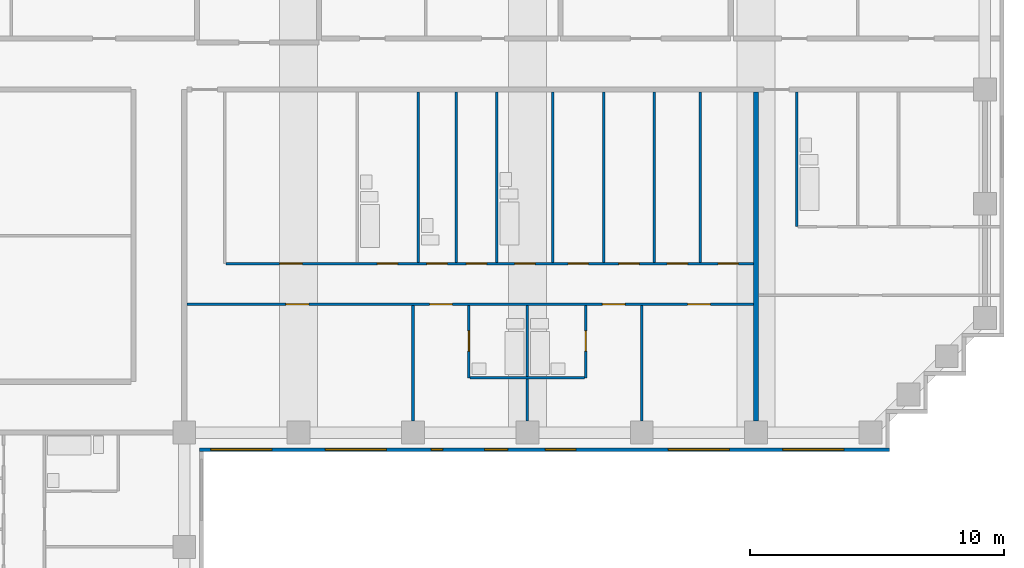
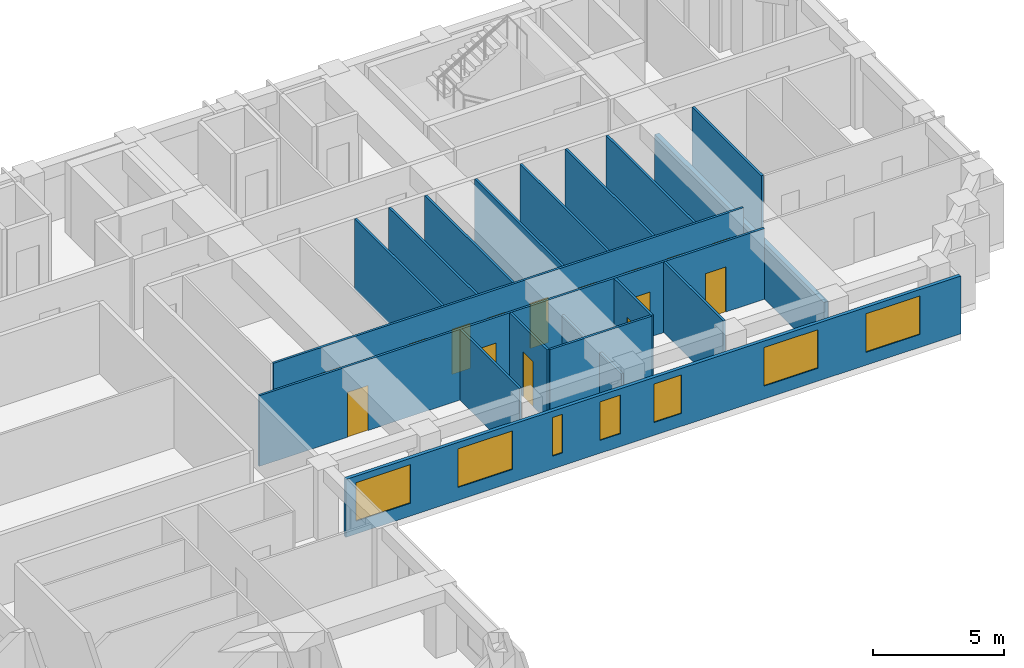
# One storey, part 6 of 10: 18 walls, 15 doors, 7 windows, 22 openings.
"""IFC4 building model written with IfcOpenShell, lengths in metres."""

from ifc_helpers import new_model, si_unit, direction, frame, frame_2d, origin, place, context, subcontext, project, spatial, rectangle, extrude, material, layer, layer_set, type_object, element, fill, save


model = new_model("IFC4")

# Units and contexts
model_context = context("Model", 3, precision=1e-05, world=origin(), true_north=direction((0.0, 1.0)))
body_context = subcontext(model_context, "Body", "Model", "MODEL_VIEW")
ifc_project = project(units=[si_unit("LENGTHUNIT", "METRE"), si_unit("AREAUNIT", "SQUARE_METRE"), si_unit("VOLUMEUNIT", "CUBIC_METRE"), si_unit("PLANEANGLEUNIT", "RADIAN"), si_unit("MASSUNIT", "GRAM", prefix="KILO")], contexts=[model_context])

# Site, building, storey
site_placement = place(None, origin())
site = spatial("IfcSite", under=ifc_project, at=site_placement, CompositionType="ELEMENT")
building_placement = place(site_placement, origin())
building = spatial("IfcBuilding", under=site, at=building_placement, Name="Firuza Court", CompositionType="ELEMENT")
storey_placement = place(building_placement, frame((0.0, 0.0, 204.199951171875)))
storey = spatial("IfcBuildingStorey", under=building, at=storey_placement, Name="L52", CompositionType="ELEMENT", Elevation=204.199951171875)

# Wall, opening, door
ifc_material_1 = material(Name="Moisture-resistant gypsum board partition")
ifc_layer_1 = layer(ifc_material_1, 0.10009765625)
ifc_layer_set_1 = layer_set([ifc_layer_1], Name="Moisture-resistant gypsum board partition")
wall_type_1 = type_object("IfcWallType", Name="Bathroom partition 100", PredefinedType="PLUMBINGWALL", material=ifc_layer_set_1)
wall_1_placement = place(storey_placement, frame((33.699951171875, 38.14990234375, 0.0), z_axis=(0.0, 0.0, 1.0), x_axis=(0.0, 1.0, 0.0)))
wall_1 = element("IfcWall", 1, at=wall_1_placement, inside=storey, type_object=wall_type_1, Name="Bathroom partition 100 L52", PredefinedType="PLUMBINGWALL", context=body_context, shape_type="SweptSolid", body=[
    extrude(rectangle(XDim=2.85009765625, YDim=0.10009765625, at=frame_2d((1.425048828125, 0.0))), origin(), (0.0, 0.0, 1.0), 3.300048828125),
])
opening_1_placement = place(wall_1_placement, frame((1.050048828125, 0.0, 0.0)))
opening_1 = element("IfcOpeningElement", 2, at=opening_1_placement, cuts=wall_1, Name="Opening D52037", PredefinedType="OPENING", context=body_context, shape_type="SweptSolid", body=[
    extrude(rectangle(XDim=0.800048828125, YDim=2.10009765625, at=frame_2d((0.39990234375, 1.050048828125))), frame((0.0, 0.06201171875, 0.0), z_axis=(0.0, -1.0, 0.0), x_axis=(1.0, 0.0, 0.0)), (0.0, 0.0, 1.0), 0.1240234375),
])
ifc_material_2 = material(Name="Timber door leaf in hardwood frame", Category="wood")
door_type_1 = type_object("IfcDoorType", Name="Bathroom door 800", OperationType="SINGLE_SWING_LEFT", PredefinedType="DOOR", material=ifc_material_2)
door_1_placement = place(opening_1_placement, frame((0.800048828125, 0.0, 0.0), z_axis=(0.0, 0.0, 1.0), x_axis=(-1.0, 0.0, 0.0)))
door_1 = element("IfcDoor", 3, at=door_1_placement, inside=storey, type_object=door_type_1, Name="En-suite door", OperationType="SINGLE_SWING_RIGHT", OverallHeight=2.10009765625, OverallWidth=0.800048828125, PredefinedType="DOOR", context=body_context, shape_type="SweptSolid", body=[
    extrude(rectangle(XDim=0.800048828125, YDim=2.10009765625, at=frame_2d((0.39990234375, 1.050048828125))), frame((0.0, 0.02490234375, 0.0), z_axis=(0.0, -1.0, 0.0), x_axis=(1.0, 0.0, 0.0)), (0.0, 0.0, 1.0), 0.050048828125),
])
fill(opening_1, door_1)

# Wall
wall_2_placement = place(storey_placement, frame((33.75, 38.14990234375, 0.0), z_axis=(0.0, 0.0, 1.0), x_axis=(1.0, 0.0, 0.0)))
element("IfcWall", 4, at=wall_2_placement, inside=storey, type_object=wall_type_1, Name="Bathroom partition 100 L52", PredefinedType="PLUMBINGWALL", context=body_context, shape_type="SweptSolid", body=[
    extrude(rectangle(XDim=4.5, YDim=0.10009765625, at=frame_2d((2.25, 0.0))), origin(), (0.0, 0.0, 1.0), 3.300048828125),
])

# Wall, opening, door
wall_3_placement = place(storey_placement, frame((38.300048828125, 38.14990234375, 0.0), z_axis=(0.0, 0.0, 1.0), x_axis=(0.0, 1.0, 0.0)))
wall_3 = element("IfcWall", 5, at=wall_3_placement, inside=storey, type_object=wall_type_1, Name="Bathroom partition 100 L52", PredefinedType="PLUMBINGWALL", context=body_context, shape_type="SweptSolid", body=[
    extrude(rectangle(XDim=2.85009765625, YDim=0.10009765625, at=frame_2d((1.425048828125, 0.0))), origin(), (0.0, 0.0, 1.0), 3.300048828125),
])
opening_2_placement = place(wall_3_placement, frame((1.050048828125, 0.0, 0.0)))
opening_2 = element("IfcOpeningElement", 6, at=opening_2_placement, cuts=wall_3, Name="Opening D52038", PredefinedType="OPENING", context=body_context, shape_type="SweptSolid", body=[
    extrude(rectangle(XDim=0.800048828125, YDim=2.10009765625, at=frame_2d((0.39990234375, 1.050048828125))), frame((0.0, 0.06201171875, 0.0), z_axis=(0.0, -1.0, 0.0), x_axis=(1.0, 0.0, 0.0)), (0.0, 0.0, 1.0), 0.1240234375),
])
door_2_placement = place(opening_2_placement, origin())
door_2 = element("IfcDoor", 7, at=door_2_placement, inside=storey, type_object=door_type_1, Name="En-suite door", OperationType="SINGLE_SWING_LEFT", OverallHeight=2.10009765625, OverallWidth=0.800048828125, PredefinedType="DOOR", context=body_context, shape_type="SweptSolid", body=[
    extrude(rectangle(XDim=0.800048828125, YDim=2.10009765625, at=frame_2d((0.39990234375, 1.050048828125))), frame((0.0, 0.02490234375, 0.0), z_axis=(0.0, -1.0, 0.0), x_axis=(1.0, 0.0, 0.0)), (0.0, 0.0, 1.0), 0.050048828125),
])
fill(opening_2, door_2)

# Walls
for number, where, z_axis, x_axis, name in (
    (8, (31.699951171875, 42.699951171875, 0.0), (0.0, 0.0, 1.0), (0.0, 1.0, 0.0), "Bathroom partition 100 L52"),
    (9, (33.199951171875, 42.699951171875, 0.0), (0.0, 0.0, 1.0), (0.0, 1.0, 0.0), "Bathroom partition 100 L52"),
    (10, (34.800048828125, 42.699951171875, 0.0), (0.0, 0.0, 1.0), (0.0, 1.0, 0.0), "Bathroom partition 100 L52"),
    (11, (37.0, 42.699951171875, 0.0), (0.0, 0.0, 1.0), (0.0, 1.0, 0.0), "Bathroom partition 100 L52"),
):
    element("IfcWall", number, at=place(storey_placement, frame(where, z_axis=z_axis, x_axis=x_axis)), inside=storey, type_object=wall_type_1, Name=name, PredefinedType="PLUMBINGWALL", context=body_context, shape_type="SweptSolid", body=[
        extrude(rectangle(XDim=6.699951171875, YDim=0.10009765625, at=frame_2d((3.35009765625, 0.0))), origin(), (0.0, 0.0, 1.0), 3.300048828125),
    ])
wall_4_placement = place(storey_placement, frame((46.60009765625, 44.10009765625, 0.0), z_axis=(0.0, 0.0, 1.0), x_axis=(0.0, 1.0, 0.0)))
element("IfcWall", 12, at=wall_4_placement, inside=storey, type_object=wall_type_1, Name="Bathroom partition 100 L52", PredefinedType="PLUMBINGWALL", context=body_context, shape_type="SweptSolid", body=[
    extrude(rectangle(XDim=5.2998046875, YDim=0.10009765625, at=frame_2d((2.64990234375, 0.0))), origin(), (0.0, 0.0, 1.0), 3.300048828125),
])
ifc_material_3 = material(Name="Timber stud partition, plasterboard both sides", Category="wood")
ifc_layer_2 = layer(ifc_material_3, 0.10009765625)
ifc_layer_set_2 = layer_set([ifc_layer_2], Name="Timber stud partition, plasterboard both sides")
wall_type_2 = type_object("IfcWallType", Name="Partition wall 100", PredefinedType="PARTITIONING", material=ifc_layer_set_2)
wall_5_placement = place(storey_placement, frame((31.5, 36.449951171875, 0.0), z_axis=(0.0, 0.0, 1.0), x_axis=(0.0, 1.0, 0.0)))
element("IfcWall", 13, at=wall_5_placement, inside=storey, type_object=wall_type_2, Name="Partition wall 100 L52", PredefinedType="PARTITIONING", context=body_context, shape_type="SweptSolid", body=[
    extrude(rectangle(XDim=4.550048828125, YDim=0.10009765625, at=frame_2d((2.27490234375, 0.0))), origin(), (0.0, 0.0, 1.0), 3.300048828125),
])
wall_6_placement = place(storey_placement, frame((36.0, 36.449951171875, 0.0), z_axis=(0.0, 0.0, 1.0), x_axis=(0.0, 1.0, 0.0)))
element("IfcWall", 14, at=wall_6_placement, inside=storey, type_object=wall_type_2, Name="Partition wall 100 L52", PredefinedType="PARTITIONING", context=body_context, shape_type="SweptSolid", body=[
    extrude(rectangle(XDim=4.550048828125, YDim=0.10009765625, at=frame_2d((2.27490234375, 0.0))), origin(), (0.0, 0.0, 1.0), 2.400146484375),
])
wall_7_placement = place(storey_placement, frame((40.5, 36.449951171875, 0.0), z_axis=(0.0, 0.0, 1.0), x_axis=(0.0, 1.0, 0.0)))
element("IfcWall", 15, at=wall_7_placement, inside=storey, type_object=wall_type_2, Name="Partition wall 100 L52", PredefinedType="PARTITIONING", context=body_context, shape_type="SweptSolid", body=[
    extrude(rectangle(XDim=4.550048828125, YDim=0.10009765625, at=frame_2d((2.27490234375, 0.0))), origin(), (0.0, 0.0, 1.0), 3.300048828125),
])

# Wall, openings, doors
wall_8_placement = place(storey_placement, frame((22.60009765625, 41.050048828125, 0.0), z_axis=(0.0, 0.0, 1.0), x_axis=(1.0, 0.0, 0.0)))
wall_8 = element("IfcWall", 16, at=wall_8_placement, inside=storey, type_object=wall_type_2, Name="Partition wall 100 L52", PredefinedType="PARTITIONING", context=body_context, shape_type="SweptSolid", body=[
    extrude(rectangle(XDim=22.2998046875, YDim=0.10009765625, at=frame_2d((11.14990234375, 0.0))), origin(), (0.0, 0.0, 1.0), 3.300048828125),
])
opening_3_placement = place(wall_8_placement, frame((3.89990234375, 0.0, 0.0)))
opening_3 = element("IfcOpeningElement", 17, at=opening_3_placement, cuts=wall_8, Name="Opening D52039", PredefinedType="OPENING", context=body_context, shape_type="SweptSolid", body=[
    extrude(rectangle(XDim=0.89990234375, YDim=2.10009765625, at=frame_2d((0.449951171875, 1.050048828125))), frame((0.0, 0.06201171875, 0.0), z_axis=(0.0, -1.0, 0.0), x_axis=(1.0, 0.0, 0.0)), (0.0, 0.0, 1.0), 0.1240234375),
])
opening_4_placement = place(wall_8_placement, frame((9.550048828125, 0.0, 0.0)))
opening_4 = element("IfcOpeningElement", 18, at=opening_4_placement, cuts=wall_8, Name="Opening D52040", PredefinedType="OPENING", context=body_context, shape_type="SweptSolid", body=[
    extrude(rectangle(XDim=0.89990234375, YDim=2.10009765625, at=frame_2d((0.449951171875, 1.050048828125))), frame((0.0, 0.06201171875, 0.0), z_axis=(0.0, -1.0, 0.0), x_axis=(1.0, 0.0, 0.0)), (0.0, 0.0, 1.0), 0.1240234375),
])
opening_5_placement = place(wall_8_placement, frame((16.35009765625, 0.0, 0.0)))
opening_5 = element("IfcOpeningElement", 19, at=opening_5_placement, cuts=wall_8, Name="Opening D52041", PredefinedType="OPENING", context=body_context, shape_type="SweptSolid", body=[
    extrude(rectangle(XDim=0.89990234375, YDim=2.10009765625, at=frame_2d((0.449951171875, 1.050048828125))), frame((0.0, 0.06201171875, 0.0), z_axis=(0.0, -1.0, 0.0), x_axis=(1.0, 0.0, 0.0)), (0.0, 0.0, 1.0), 0.1240234375),
])
opening_6_placement = place(wall_8_placement, frame((19.699951171875, 0.0, 0.0)))
opening_6 = element("IfcOpeningElement", 20, at=opening_6_placement, cuts=wall_8, Name="Opening D52042", PredefinedType="OPENING", context=body_context, shape_type="SweptSolid", body=[
    extrude(rectangle(XDim=0.89990234375, YDim=2.10009765625, at=frame_2d((0.449951171875, 1.050048828125))), frame((0.0, 0.06201171875, 0.0), z_axis=(0.0, -1.0, 0.0), x_axis=(1.0, 0.0, 0.0)), (0.0, 0.0, 1.0), 0.1240234375),
])
ifc_material_4 = material(Name="Timber door leaf in hardwood frame", Category="wood")
door_type_2 = type_object("IfcDoorType", Name="Room door 900", OperationType="SINGLE_SWING_LEFT", PredefinedType="DOOR", material=ifc_material_4)
door_3_placement = place(opening_3_placement, frame((0.89990234375, 0.0, 0.0), z_axis=(0.0, 0.0, 1.0), x_axis=(-1.0, 0.0, 0.0)))
door_3 = element("IfcDoor", 21, at=door_3_placement, inside=storey, type_object=door_type_2, Name="Living room door", OperationType="SINGLE_SWING_RIGHT", OverallHeight=2.10009765625, OverallWidth=0.89990234375, PredefinedType="DOOR", context=body_context, shape_type="SweptSolid", body=[
    extrude(rectangle(XDim=0.89990234375, YDim=2.10009765625, at=frame_2d((0.449951171875, 1.050048828125))), frame((0.0, 0.02490234375, 0.0), z_axis=(0.0, -1.0, 0.0), x_axis=(1.0, 0.0, 0.0)), (0.0, 0.0, 1.0), 0.050048828125),
])
fill(opening_3, door_3)
door_4_placement = place(opening_4_placement, frame((0.89990234375, 0.0, 0.0), z_axis=(0.0, 0.0, 1.0), x_axis=(-1.0, 0.0, 0.0)))
door_4 = element("IfcDoor", 22, at=door_4_placement, inside=storey, type_object=door_type_2, Name="Bedroom door", OperationType="SINGLE_SWING_RIGHT", OverallHeight=2.10009765625, OverallWidth=0.89990234375, PredefinedType="DOOR", context=body_context, shape_type="SweptSolid", body=[
    extrude(rectangle(XDim=0.89990234375, YDim=2.10009765625, at=frame_2d((0.449951171875, 1.050048828125))), frame((0.0, 0.02490234375, 0.0), z_axis=(0.0, -1.0, 0.0), x_axis=(1.0, 0.0, 0.0)), (0.0, 0.0, 1.0), 0.050048828125),
])
fill(opening_4, door_4)
door_5_placement = place(opening_5_placement, frame((0.89990234375, 0.0, 0.0), z_axis=(0.0, 0.0, 1.0), x_axis=(-1.0, 0.0, 0.0)))
door_5 = element("IfcDoor", 23, at=door_5_placement, inside=storey, type_object=door_type_2, Name="Bedroom door", OperationType="SINGLE_SWING_LEFT", OverallHeight=2.10009765625, OverallWidth=0.89990234375, PredefinedType="DOOR", context=body_context, shape_type="SweptSolid", body=[
    extrude(rectangle(XDim=0.89990234375, YDim=2.10009765625, at=frame_2d((0.449951171875, 1.050048828125))), frame((0.0, 0.02490234375, 0.0), z_axis=(0.0, -1.0, 0.0), x_axis=(1.0, 0.0, 0.0)), (0.0, 0.0, 1.0), 0.050048828125),
])
fill(opening_5, door_5)
door_6_placement = place(opening_6_placement, frame((0.89990234375, 0.0, 0.0), z_axis=(0.0, 0.0, 1.0), x_axis=(-1.0, 0.0, 0.0)))
door_6 = element("IfcDoor", 24, at=door_6_placement, inside=storey, type_object=door_type_2, Name="Bedroom door", OperationType="SINGLE_SWING_RIGHT", OverallHeight=2.10009765625, OverallWidth=0.89990234375, PredefinedType="DOOR", context=body_context, shape_type="SweptSolid", body=[
    extrude(rectangle(XDim=0.89990234375, YDim=2.10009765625, at=frame_2d((0.449951171875, 1.050048828125))), frame((0.0, 0.02490234375, 0.0), z_axis=(0.0, -1.0, 0.0), x_axis=(1.0, 0.0, 0.0)), (0.0, 0.0, 1.0), 0.050048828125),
])
fill(opening_6, door_6)

wall_9_placement = place(storey_placement, frame((24.14990234375, 42.64990234375, 0.0), z_axis=(0.0, 0.0, 1.0), x_axis=(1.0, 0.0, 0.0)))
wall_9 = element("IfcWall", 25, at=wall_9_placement, inside=storey, type_object=wall_type_2, Name="Partition wall 100 L52", PredefinedType="PARTITIONING", context=body_context, shape_type="SweptSolid", body=[
    extrude(rectangle(XDim=20.75, YDim=0.10009765625, at=frame_2d((10.375, 0.0))), origin(), (0.0, 0.0, 1.0), 3.300048828125),
])
opening_7_placement = place(wall_9_placement, frame((5.949951171875, 0.0, 0.0)))
opening_7 = element("IfcOpeningElement", 26, at=opening_7_placement, cuts=wall_9, Name="Opening D52044", PredefinedType="OPENING", context=body_context, shape_type="SweptSolid", body=[
    extrude(rectangle(XDim=0.800048828125, YDim=2.10009765625, at=frame_2d((0.39990234375, 1.050048828125))), frame((0.0, 0.06201171875, 0.0), z_axis=(0.0, -1.0, 0.0), x_axis=(1.0, 0.0, 0.0)), (0.0, 0.0, 1.0), 0.1240234375),
])
opening_8_placement = place(wall_9_placement, frame((11.35009765625, 0.0, 0.0)))
opening_8 = element("IfcOpeningElement", 27, at=opening_8_placement, cuts=wall_9, Name="Opening D52045", PredefinedType="OPENING", context=body_context, shape_type="SweptSolid", body=[
    extrude(rectangle(XDim=0.800048828125, YDim=2.10009765625, at=frame_2d((0.39990234375, 1.050048828125))), frame((0.0, 0.06201171875, 0.0), z_axis=(0.0, -1.0, 0.0), x_axis=(1.0, 0.0, 0.0)), (0.0, 0.0, 1.0), 0.1240234375),
])
opening_9_placement = place(wall_9_placement, frame((2.10009765625, 0.0, 0.0)))
opening_9 = element("IfcOpeningElement", 28, at=opening_9_placement, cuts=wall_9, Name="Opening D52046", PredefinedType="OPENING", context=body_context, shape_type="SweptSolid", body=[
    extrude(rectangle(XDim=0.89990234375, YDim=2.10009765625, at=frame_2d((0.449951171875, 1.050048828125))), frame((0.0, 0.06201171875, 0.0), z_axis=(0.0, -1.0, 0.0), x_axis=(1.0, 0.0, 0.0)), (0.0, 0.0, 1.0), 0.1240234375),
])
opening_10_placement = place(wall_9_placement, frame((19.35009765625, 0.0, 0.0)))
opening_10 = element("IfcOpeningElement", 29, at=opening_10_placement, cuts=wall_9, Name="Opening D52047", PredefinedType="OPENING", context=body_context, shape_type="SweptSolid", body=[
    extrude(rectangle(XDim=0.800048828125, YDim=2.10009765625, at=frame_2d((0.39990234375, 1.050048828125))), frame((0.0, 0.06201171875, 0.0), z_axis=(0.0, -1.0, 0.0), x_axis=(1.0, 0.0, 0.0)), (0.0, 0.0, 1.0), 0.1240234375),
])
opening_11_placement = place(wall_9_placement, frame((15.449951171875, 0.0, 0.0)))
opening_11 = element("IfcOpeningElement", 30, at=opening_11_placement, cuts=wall_9, Name="Opening D52048", PredefinedType="OPENING", context=body_context, shape_type="SweptSolid", body=[
    extrude(rectangle(XDim=0.800048828125, YDim=2.10009765625, at=frame_2d((0.39990234375, 1.050048828125))), frame((0.0, 0.06201171875, 0.0), z_axis=(0.0, -1.0, 0.0), x_axis=(1.0, 0.0, 0.0)), (0.0, 0.0, 1.0), 0.1240234375),
])
opening_12_placement = place(wall_9_placement, frame((9.449951171875, 0.0, 0.0)))
opening_12 = element("IfcOpeningElement", 31, at=opening_12_placement, cuts=wall_9, Name="Opening D52049", PredefinedType="OPENING", context=body_context, shape_type="SweptSolid", body=[
    extrude(rectangle(XDim=0.800048828125, YDim=2.10009765625, at=frame_2d((0.39990234375, 1.050048828125))), frame((0.0, 0.06201171875, 0.0), z_axis=(0.0, -1.0, 0.0), x_axis=(1.0, 0.0, 0.0)), (0.0, 0.0, 1.0), 0.1240234375),
])
opening_13_placement = place(wall_9_placement, frame((13.449951171875, 0.0, 0.0)))
opening_13 = element("IfcOpeningElement", 32, at=opening_13_placement, cuts=wall_9, Name="Opening D52050", PredefinedType="OPENING", context=body_context, shape_type="SweptSolid", body=[
    extrude(rectangle(XDim=0.800048828125, YDim=2.10009765625, at=frame_2d((0.39990234375, 1.050048828125))), frame((0.0, 0.06201171875, 0.0), z_axis=(0.0, -1.0, 0.0), x_axis=(1.0, 0.0, 0.0)), (0.0, 0.0, 1.0), 0.1240234375),
])
opening_14_placement = place(wall_9_placement, frame((17.35009765625, 0.0, 0.0)))
opening_14 = element("IfcOpeningElement", 33, at=opening_14_placement, cuts=wall_9, Name="Opening D52051", PredefinedType="OPENING", context=body_context, shape_type="SweptSolid", body=[
    extrude(rectangle(XDim=0.800048828125, YDim=2.10009765625, at=frame_2d((0.39990234375, 1.050048828125))), frame((0.0, 0.06201171875, 0.0), z_axis=(0.0, -1.0, 0.0), x_axis=(1.0, 0.0, 0.0)), (0.0, 0.0, 1.0), 0.1240234375),
])
opening_15_placement = place(wall_9_placement, frame((7.89990234375, 0.0, 0.0)))
opening_15 = element("IfcOpeningElement", 34, at=opening_15_placement, cuts=wall_9, Name="Opening D52052", PredefinedType="OPENING", context=body_context, shape_type="SweptSolid", body=[
    extrude(rectangle(XDim=0.800048828125, YDim=2.10009765625, at=frame_2d((0.39990234375, 1.050048828125))), frame((0.0, 0.06201171875, 0.0), z_axis=(0.0, -1.0, 0.0), x_axis=(1.0, 0.0, 0.0)), (0.0, 0.0, 1.0), 0.1240234375),
])
door_7_placement = place(opening_7_placement, origin())
door_7 = element("IfcDoor", 35, at=door_7_placement, inside=storey, type_object=door_type_1, Name="Bathroom door", OperationType="SINGLE_SWING_LEFT", OverallHeight=2.10009765625, OverallWidth=0.800048828125, PredefinedType="DOOR", context=body_context, shape_type="SweptSolid", body=[
    extrude(rectangle(XDim=0.800048828125, YDim=2.10009765625, at=frame_2d((0.39990234375, 1.050048828125))), frame((0.0, 0.02490234375, 0.0), z_axis=(0.0, -1.0, 0.0), x_axis=(1.0, 0.0, 0.0)), (0.0, 0.0, 1.0), 0.050048828125),
])
fill(opening_7, door_7)
door_8_placement = place(opening_8_placement, origin())
door_8 = element("IfcDoor", 36, at=door_8_placement, inside=storey, type_object=door_type_1, Name="Bathroom 2 door", OperationType="SINGLE_SWING_LEFT", OverallHeight=2.10009765625, OverallWidth=0.800048828125, PredefinedType="DOOR", context=body_context, shape_type="SweptSolid", body=[
    extrude(rectangle(XDim=0.800048828125, YDim=2.10009765625, at=frame_2d((0.39990234375, 1.050048828125))), frame((0.0, 0.02490234375, 0.0), z_axis=(0.0, -1.0, 0.0), x_axis=(1.0, 0.0, 0.0)), (0.0, 0.0, 1.0), 0.050048828125),
])
fill(opening_8, door_8)
door_9_placement = place(opening_15_placement, origin())
door_9 = element("IfcDoor", 37, at=door_9_placement, inside=storey, type_object=door_type_1, Name="Powder room door", OperationType="SINGLE_SWING_LEFT", OverallHeight=2.10009765625, OverallWidth=0.800048828125, PredefinedType="DOOR", context=body_context, shape_type="SweptSolid", body=[
    extrude(rectangle(XDim=0.800048828125, YDim=2.10009765625, at=frame_2d((0.39990234375, 1.050048828125))), frame((0.0, 0.02490234375, 0.0), z_axis=(0.0, -1.0, 0.0), x_axis=(1.0, 0.0, 0.0)), (0.0, 0.0, 1.0), 0.050048828125),
])
fill(opening_15, door_9)
ifc_material_5 = material(Name="Timber door leaf in hardwood frame", Category="wood")
door_type_3 = type_object("IfcDoorType", Name="Room door 800", OperationType="SINGLE_SWING_LEFT", PredefinedType="DOOR", material=ifc_material_5)
door_10_placement = place(opening_10_placement, origin())
door_10 = element("IfcDoor", 38, at=door_10_placement, inside=storey, type_object=door_type_3, Name="Laundry door", OperationType="SINGLE_SWING_LEFT", OverallHeight=2.10009765625, OverallWidth=0.800048828125, PredefinedType="DOOR", context=body_context, shape_type="SweptSolid", body=[
    extrude(rectangle(XDim=0.800048828125, YDim=2.10009765625, at=frame_2d((0.39990234375, 1.050048828125))), frame((0.0, 0.02490234375, 0.0), z_axis=(0.0, -1.0, 0.0), x_axis=(1.0, 0.0, 0.0)), (0.0, 0.0, 1.0), 0.050048828125),
])
fill(opening_10, door_10)
door_11_placement = place(opening_11_placement, origin())
door_11 = element("IfcDoor", 39, at=door_11_placement, inside=storey, type_object=door_type_3, Name="Pantry door", OperationType="SINGLE_SWING_LEFT", OverallHeight=2.10009765625, OverallWidth=0.800048828125, PredefinedType="DOOR", context=body_context, shape_type="SweptSolid", body=[
    extrude(rectangle(XDim=0.800048828125, YDim=2.10009765625, at=frame_2d((0.39990234375, 1.050048828125))), frame((0.0, 0.02490234375, 0.0), z_axis=(0.0, -1.0, 0.0), x_axis=(1.0, 0.0, 0.0)), (0.0, 0.0, 1.0), 0.050048828125),
])
fill(opening_11, door_11)
door_12_placement = place(opening_12_placement, origin())
door_12 = element("IfcDoor", 40, at=door_12_placement, inside=storey, type_object=door_type_3, Name="Store door", OperationType="SINGLE_SWING_LEFT", OverallHeight=2.10009765625, OverallWidth=0.800048828125, PredefinedType="DOOR", context=body_context, shape_type="SweptSolid", body=[
    extrude(rectangle(XDim=0.800048828125, YDim=2.10009765625, at=frame_2d((0.39990234375, 1.050048828125))), frame((0.0, 0.02490234375, 0.0), z_axis=(0.0, -1.0, 0.0), x_axis=(1.0, 0.0, 0.0)), (0.0, 0.0, 1.0), 0.050048828125),
])
fill(opening_12, door_12)
door_13_placement = place(opening_13_placement, origin())
door_13 = element("IfcDoor", 41, at=door_13_placement, inside=storey, type_object=door_type_3, Name="Utility room door", OperationType="SINGLE_SWING_LEFT", OverallHeight=2.10009765625, OverallWidth=0.800048828125, PredefinedType="DOOR", context=body_context, shape_type="SweptSolid", body=[
    extrude(rectangle(XDim=0.800048828125, YDim=2.10009765625, at=frame_2d((0.39990234375, 1.050048828125))), frame((0.0, 0.02490234375, 0.0), z_axis=(0.0, -1.0, 0.0), x_axis=(1.0, 0.0, 0.0)), (0.0, 0.0, 1.0), 0.050048828125),
])
fill(opening_13, door_13)
door_14_placement = place(opening_14_placement, origin())
door_14 = element("IfcDoor", 42, at=door_14_placement, inside=storey, type_object=door_type_3, Name="Walk-in wardrobe door", OperationType="SINGLE_SWING_LEFT", OverallHeight=2.10009765625, OverallWidth=0.800048828125, PredefinedType="DOOR", context=body_context, shape_type="SweptSolid", body=[
    extrude(rectangle(XDim=0.800048828125, YDim=2.10009765625, at=frame_2d((0.39990234375, 1.050048828125))), frame((0.0, 0.02490234375, 0.0), z_axis=(0.0, -1.0, 0.0), x_axis=(1.0, 0.0, 0.0)), (0.0, 0.0, 1.0), 0.050048828125),
])
fill(opening_14, door_14)
door_15_placement = place(opening_9_placement, origin())
door_15 = element("IfcDoor", 43, at=door_15_placement, inside=storey, type_object=door_type_2, Name="Kitchen door", OperationType="SINGLE_SWING_LEFT", OverallHeight=2.10009765625, OverallWidth=0.89990234375, PredefinedType="DOOR", context=body_context, shape_type="SweptSolid", body=[
    extrude(rectangle(XDim=0.89990234375, YDim=2.10009765625, at=frame_2d((0.449951171875, 1.050048828125))), frame((0.0, 0.02490234375, 0.0), z_axis=(0.0, -1.0, 0.0), x_axis=(1.0, 0.0, 0.0)), (0.0, 0.0, 1.0), 0.050048828125),
])
fill(opening_9, door_15)

# Walls
for number, where, z_axis, x_axis, name in (
    (44, (39.0, 42.699951171875, 0.0), (0.0, 0.0, 1.0), (0.0, 1.0, 0.0), "Partition wall 100 L52"),
    (45, (41.0, 42.699951171875, 0.0), (0.0, 0.0, 1.0), (0.0, 1.0, 0.0), "Partition wall 100 L52"),
    (46, (42.800048828125, 42.699951171875, 0.0), (0.0, 0.0, 1.0), (0.0, 1.0, 0.0), "Partition wall 100 L52"),
):
    element("IfcWall", number, at=place(storey_placement, frame(where, z_axis=z_axis, x_axis=x_axis)), inside=storey, type_object=wall_type_2, Name=name, PredefinedType="PARTITIONING", context=body_context, shape_type="SweptSolid", body=[
        extrude(rectangle(XDim=6.699951171875, YDim=0.10009765625, at=frame_2d((3.35009765625, 0.0))), origin(), (0.0, 0.0, 1.0), 3.300048828125),
    ])
ifc_material_6 = material(Name="Blockwork, plastered both sides", Category="masonry")
ifc_layer_3 = layer(ifc_material_6, 0.199951171875)
ifc_layer_set_3 = layer_set([ifc_layer_3], Name="Blockwork, plastered both sides")
wall_type_3 = type_object("IfcWallType", Name="Party wall 200", PredefinedType="PARTITIONING", material=ifc_layer_set_3)
wall_10_placement = place(storey_placement, frame((45.0, 36.449951171875, 0.0), z_axis=(0.0, 0.0, 1.0), x_axis=(0.0, 1.0, 0.0)))
element("IfcWall", 47, at=wall_10_placement, inside=storey, type_object=wall_type_3, Name="Party wall 200 L52", PredefinedType="PARTITIONING", context=body_context, shape_type="SweptSolid", body=[
    extrude(rectangle(XDim=12.949951171875, YDim=0.199951171875, at=frame_2d((6.47509765625, 0.0))), origin(), (0.0, 0.0, 1.0), 2.60009765625),
])

# Wall, openings, windows
ifc_material_7 = material(Name="Ceramic tile", Category="ceramic")
ifc_layer_4 = layer(ifc_material_7, 0.02001953125)
ifc_material_8 = material(Name="Mineral wool insulation", Category="insulation")
ifc_layer_5 = layer(ifc_material_8, 0.050048828125)
ifc_material_9 = material(Name="Concrete C40/50 precast", Category="concrete")
ifc_layer_6 = layer(ifc_material_9, 0.080078125)
ifc_layer_set_4 = layer_set([ifc_layer_4, ifc_layer_5, ifc_layer_6], Name="Concrete C40/50 precast")
wall_type_4 = type_object("IfcWallType", Name="Precast cladding wall with turquoise TILE PANEL face 150", PredefinedType="STANDARD", material=ifc_layer_set_4)
wall_11_placement = place(storey_placement, frame((23.10009765625, 35.324951171875, 0.0), z_axis=(0.0, 0.0, 1.0), x_axis=(1.0, 0.0, 0.0)))
wall_11 = element("IfcWall", 48, at=wall_11_placement, inside=storey, type_object=wall_type_4, Name="Facade wall L52 S", PredefinedType="STANDARD", context=body_context, shape_type="SweptSolid", body=[
    extrude(rectangle(XDim=27.14990234375, YDim=0.14990234375, at=frame_2d((13.574951171875, 0.0))), origin(), (0.0, 0.0, 1.0), 2.699951171875),
])
opening_16_placement = place(wall_11_placement, frame((0.449951171875, 0.0, 0.60009765625)))
opening_16 = element("IfcOpeningElement", 49, at=opening_16_placement, cuts=wall_11, Name="Opening W1", PredefinedType="OPENING", context=body_context, shape_type="SweptSolid", body=[
    extrude(rectangle(XDim=2.39990234375, YDim=1.800048828125, at=frame_2d((1.199951171875, 0.89990234375))), frame((0.0, 0.0869140625, 0.0), z_axis=(0.0, -1.0, 0.0), x_axis=(1.0, 0.0, 0.0)), (0.0, 0.0, 1.0), 0.173828125),
])
opening_17_placement = place(wall_11_placement, frame((4.949951171875, 0.0, 0.60009765625)))
opening_17 = element("IfcOpeningElement", 50, at=opening_17_placement, cuts=wall_11, Name="Opening W1", PredefinedType="OPENING", context=body_context, shape_type="SweptSolid", body=[
    extrude(rectangle(XDim=2.39990234375, YDim=1.800048828125, at=frame_2d((1.199951171875, 0.89990234375))), frame((0.0, 0.0869140625, 0.0), z_axis=(0.0, -1.0, 0.0), x_axis=(1.0, 0.0, 0.0)), (0.0, 0.0, 1.0), 0.173828125),
])
opening_18_placement = place(wall_11_placement, frame((9.118408203125, 0.0, 0.60009765625)))
opening_18 = element("IfcOpeningElement", 51, at=opening_18_placement, cuts=wall_11, Name="Opening W5", PredefinedType="OPENING", context=body_context, shape_type="SweptSolid", body=[
    extrude(rectangle(XDim=0.449951171875, YDim=1.800048828125, at=frame_2d((0.22509765625, 0.89990234375))), frame((0.0, 0.0869140625, 0.0), z_axis=(0.0, -1.0, 0.0), x_axis=(1.0, 0.0, 0.0)), (0.0, 0.0, 1.0), 0.173828125),
])
opening_19_placement = place(wall_11_placement, frame((11.21826171875, 0.0, 0.60009765625)))
opening_19 = element("IfcOpeningElement", 52, at=opening_19_placement, cuts=wall_11, Name="Opening W3", PredefinedType="OPENING", context=body_context, shape_type="SweptSolid", body=[
    extrude(rectangle(XDim=0.89990234375, YDim=1.800048828125, at=frame_2d((0.449951171875, 0.89990234375))), frame((0.0, 0.0869140625, 0.0), z_axis=(0.0, -1.0, 0.0), x_axis=(1.0, 0.0, 0.0)), (0.0, 0.0, 1.0), 0.173828125),
])
opening_20_placement = place(wall_11_placement, frame((13.609619140625, 0.0, 0.60009765625)))
opening_20 = element("IfcOpeningElement", 53, at=opening_20_placement, cuts=wall_11, Name="Opening W8", PredefinedType="OPENING", context=body_context, shape_type="SweptSolid", body=[
    extrude(rectangle(XDim=1.199951171875, YDim=1.800048828125, at=frame_2d((0.60009765625, 0.89990234375))), frame((0.0, 0.0869140625, 0.0), z_axis=(0.0, -1.0, 0.0), x_axis=(1.0, 0.0, 0.0)), (0.0, 0.0, 1.0), 0.173828125),
])
opening_21_placement = place(wall_11_placement, frame((18.449951171875, 0.0, 0.60009765625)))
opening_21 = element("IfcOpeningElement", 54, at=opening_21_placement, cuts=wall_11, Name="Opening W1", PredefinedType="OPENING", context=body_context, shape_type="SweptSolid", body=[
    extrude(rectangle(XDim=2.39990234375, YDim=1.800048828125, at=frame_2d((1.199951171875, 0.89990234375))), frame((0.0, 0.0869140625, 0.0), z_axis=(0.0, -1.0, 0.0), x_axis=(1.0, 0.0, 0.0)), (0.0, 0.0, 1.0), 0.173828125),
])
opening_22_placement = place(wall_11_placement, frame((22.949951171875, 0.0, 0.60009765625)))
opening_22 = element("IfcOpeningElement", 55, at=opening_22_placement, cuts=wall_11, Name="Opening W1", PredefinedType="OPENING", context=body_context, shape_type="SweptSolid", body=[
    extrude(rectangle(XDim=2.39990234375, YDim=1.800048828125, at=frame_2d((1.199951171875, 0.89990234375))), frame((0.0, 0.0869140625, 0.0), z_axis=(0.0, -1.0, 0.0), x_axis=(1.0, 0.0, 0.0)), (0.0, 0.0, 1.0), 0.173828125),
])
ifc_material_10 = material(Name="Aluminium frame, triple clear glazing", Category="aluminium")
window_type_1 = type_object("IfcWindowType", Name="Window W1 2400 x 1800", PartitioningType="SINGLE_PANEL", PredefinedType="WINDOW", material=ifc_material_10)
window_1_placement = place(opening_16_placement, origin())
window_1 = element("IfcWindow", 56, at=window_1_placement, inside=storey, type_object=window_type_1, Name="Window L52", OverallHeight=1.800048828125, OverallWidth=2.39990234375, PartitioningType="SINGLE_PANEL", PredefinedType="WINDOW", context=body_context, shape_type="SweptSolid", body=[
    extrude(rectangle(XDim=2.39990234375, YDim=1.800048828125, at=frame_2d((1.199951171875, 0.89990234375))), frame((0.0, 0.030029296875, 0.0), z_axis=(0.0, -1.0, 0.0), x_axis=(1.0, 0.0, 0.0)), (0.0, 0.0, 1.0), 0.06005859375),
])
fill(opening_16, window_1)
window_2_placement = place(opening_17_placement, origin())
window_2 = element("IfcWindow", 57, at=window_2_placement, inside=storey, type_object=window_type_1, Name="Window L52", OverallHeight=1.800048828125, OverallWidth=2.39990234375, PartitioningType="SINGLE_PANEL", PredefinedType="WINDOW", context=body_context, shape_type="SweptSolid", body=[
    extrude(rectangle(XDim=2.39990234375, YDim=1.800048828125, at=frame_2d((1.199951171875, 0.89990234375))), frame((0.0, 0.030029296875, 0.0), z_axis=(0.0, -1.0, 0.0), x_axis=(1.0, 0.0, 0.0)), (0.0, 0.0, 1.0), 0.06005859375),
])
fill(opening_17, window_2)
window_3_placement = place(opening_21_placement, origin())
window_3 = element("IfcWindow", 58, at=window_3_placement, inside=storey, type_object=window_type_1, Name="Window L52", OverallHeight=1.800048828125, OverallWidth=2.39990234375, PartitioningType="SINGLE_PANEL", PredefinedType="WINDOW", context=body_context, shape_type="SweptSolid", body=[
    extrude(rectangle(XDim=2.39990234375, YDim=1.800048828125, at=frame_2d((1.199951171875, 0.89990234375))), frame((0.0, 0.030029296875, 0.0), z_axis=(0.0, -1.0, 0.0), x_axis=(1.0, 0.0, 0.0)), (0.0, 0.0, 1.0), 0.06005859375),
])
fill(opening_21, window_3)
window_4_placement = place(opening_22_placement, origin())
window_4 = element("IfcWindow", 59, at=window_4_placement, inside=storey, type_object=window_type_1, Name="Window L52", OverallHeight=1.800048828125, OverallWidth=2.39990234375, PartitioningType="SINGLE_PANEL", PredefinedType="WINDOW", context=body_context, shape_type="SweptSolid", body=[
    extrude(rectangle(XDim=2.39990234375, YDim=1.800048828125, at=frame_2d((1.199951171875, 0.89990234375))), frame((0.0, 0.030029296875, 0.0), z_axis=(0.0, -1.0, 0.0), x_axis=(1.0, 0.0, 0.0)), (0.0, 0.0, 1.0), 0.06005859375),
])
fill(opening_22, window_4)
ifc_material_11 = material(Name="Aluminium frame, triple clear glazing", Category="aluminium")
window_type_2 = type_object("IfcWindowType", Name="Window W3 900 x 1800", PartitioningType="SINGLE_PANEL", PredefinedType="WINDOW", material=ifc_material_11)
window_5_placement = place(opening_19_placement, origin())
window_5 = element("IfcWindow", 60, at=window_5_placement, inside=storey, type_object=window_type_2, Name="Window L52", OverallHeight=1.800048828125, OverallWidth=0.89990234375, PartitioningType="SINGLE_PANEL", PredefinedType="WINDOW", context=body_context, shape_type="SweptSolid", body=[
    extrude(rectangle(XDim=0.89990234375, YDim=1.800048828125, at=frame_2d((0.449951171875, 0.89990234375))), frame((0.0, 0.030029296875, 0.0), z_axis=(0.0, -1.0, 0.0), x_axis=(1.0, 0.0, 0.0)), (0.0, 0.0, 1.0), 0.06005859375),
])
fill(opening_19, window_5)
ifc_material_12 = material(Name="Aluminium frame, triple clear glazing", Category="aluminium")
window_type_3 = type_object("IfcWindowType", Name="Window W5 450 x 1800", PartitioningType="SINGLE_PANEL", PredefinedType="WINDOW", material=ifc_material_12)
window_6_placement = place(opening_18_placement, origin())
window_6 = element("IfcWindow", 61, at=window_6_placement, inside=storey, type_object=window_type_3, Name="Window L52", OverallHeight=1.800048828125, OverallWidth=0.449951171875, PartitioningType="SINGLE_PANEL", PredefinedType="WINDOW", context=body_context, shape_type="SweptSolid", body=[
    extrude(rectangle(XDim=0.449951171875, YDim=1.800048828125, at=frame_2d((0.22509765625, 0.89990234375))), frame((0.0, 0.030029296875, 0.0), z_axis=(0.0, -1.0, 0.0), x_axis=(1.0, 0.0, 0.0)), (0.0, 0.0, 1.0), 0.06005859375),
])
fill(opening_18, window_6)
ifc_material_13 = material(Name="Aluminium frame, triple clear glazing", Category="aluminium")
window_type_4 = type_object("IfcWindowType", Name="Window W8 1200 x 1800", PartitioningType="SINGLE_PANEL", PredefinedType="WINDOW", material=ifc_material_13)
window_7_placement = place(opening_20_placement, origin())
window_7 = element("IfcWindow", 62, at=window_7_placement, inside=storey, type_object=window_type_4, Name="Window L52", OverallHeight=1.800048828125, OverallWidth=1.199951171875, PartitioningType="SINGLE_PANEL", PredefinedType="WINDOW", context=body_context, shape_type="SweptSolid", body=[
    extrude(rectangle(XDim=1.199951171875, YDim=1.800048828125, at=frame_2d((0.60009765625, 0.89990234375))), frame((0.0, 0.030029296875, 0.0), z_axis=(0.0, -1.0, 0.0), x_axis=(1.0, 0.0, 0.0)), (0.0, 0.0, 1.0), 0.06005859375),
])
fill(opening_20, window_7)

save(model, "model.ifc")
